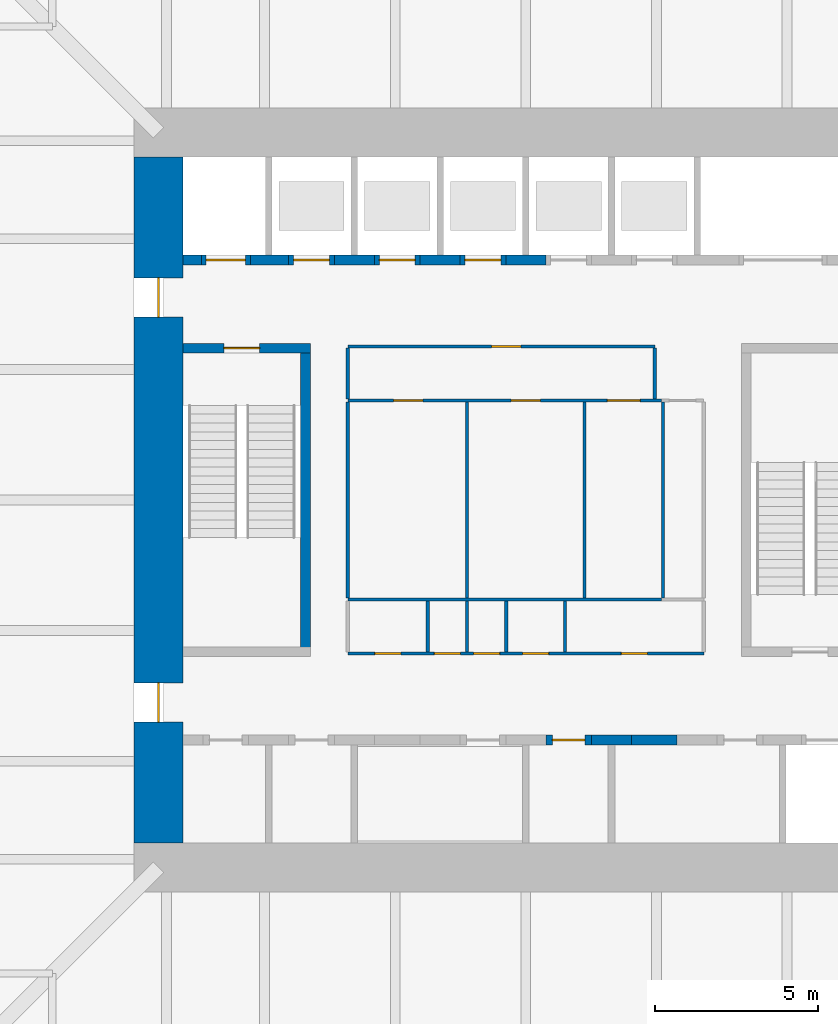
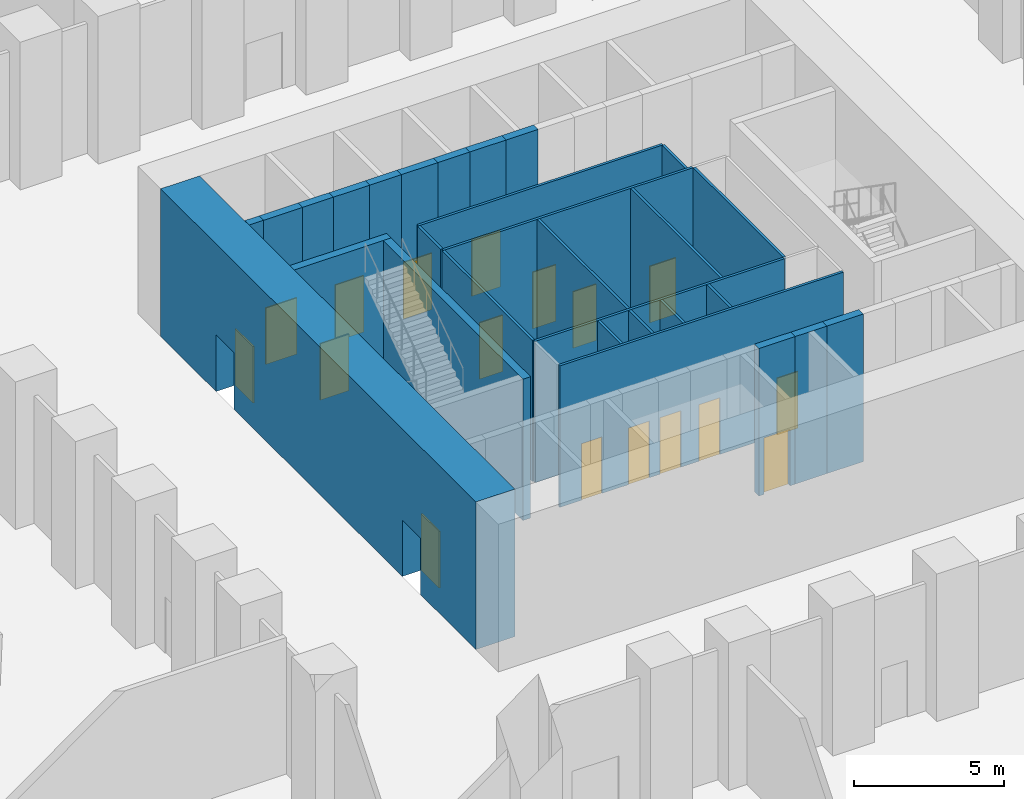
# One storey, part 14 of 20: 29 walls, 17 doors, 17 openings.
"""IFC4 building model written with IfcOpenShell, lengths in metres."""

from ifc_helpers import new_model, si_unit, direction, frame, frame_2d, origin, place, context, subcontext, project, spatial, rectangle, extrude, material, layer, layer_set, type_object, element, fill, save


model = new_model("IFC4")

# Units and contexts
model_context = context("Model", 3, precision=1e-05, world=origin(), true_north=direction((0.0, 1.0)))
body_context = subcontext(model_context, "Body", "Model", "MODEL_VIEW")
ifc_project = project(units=[si_unit("LENGTHUNIT", "METRE"), si_unit("AREAUNIT", "SQUARE_METRE"), si_unit("VOLUMEUNIT", "CUBIC_METRE"), si_unit("PLANEANGLEUNIT", "RADIAN"), si_unit("MASSUNIT", "GRAM", prefix="KILO")], contexts=[model_context])

# Site, building, storey
site_placement = place(None, origin())
site = spatial("IfcSite", under=ifc_project, at=site_placement, CompositionType="ELEMENT")
building_placement = place(site_placement, origin())
building = spatial("IfcBuilding", under=site, at=building_placement, Name="Peilmerk Tower", CompositionType="ELEMENT")
storey_placement = place(building_placement, origin())
storey = spatial("IfcBuildingStorey", under=building, at=storey_placement, Name="L00", CompositionType="ELEMENT", Elevation=0.0)

# Wall
ifc_material_1 = material(Name="Concrete C35/45", Category="concrete")
ifc_layer_1 = layer(ifc_material_1, 0.300048828125)
ifc_layer_set_1 = layer_set([ifc_layer_1], Name="Concrete C35/45")
wall_type_1 = type_object("IfcWallType", Name="IW3 300 concrete stair enclosure wall, EI 120", PredefinedType="SOLIDWALL", material=ifc_layer_set_1)
wall_1_placement = place(storey_placement, frame((-6.75, -4.800048828125, 0.0), z_axis=(0.0, 0.0, 1.0), x_axis=(0.0, 1.0, 0.0)))
element("IfcWall", 1, at=wall_1_placement, inside=storey, type_object=wall_type_1, Name="Stair 1 enclosure L00", PredefinedType="SOLIDWALL", context=body_context, shape_type="SweptSolid", body=[
    extrude(rectangle(XDim=9.60009765625, YDim=0.300048828125, at=frame_2d((4.800048828125, 0.0))), origin(), (0.0, 0.0, 1.0), 5.75),
])

# Wall, opening, door
wall_2_placement = place(storey_placement, frame((-10.5, 4.64990234375, 0.0), z_axis=(0.0, 0.0, 1.0), x_axis=(1.0, 0.0, 0.0)))
wall_2 = element("IfcWall", 2, at=wall_2_placement, inside=storey, type_object=wall_type_1, Name="Stair 1 enclosure L00", PredefinedType="SOLIDWALL", context=body_context, shape_type="SweptSolid", body=[
    extrude(rectangle(XDim=3.89990234375, YDim=0.300048828125, at=frame_2d((1.949951171875, 0.0))), origin(), (0.0, 0.0, 1.0), 5.75),
])
opening_1_placement = place(wall_2_placement, frame((1.25, 0.0, 0.0)))
opening_1 = element("IfcOpeningElement", 3, at=opening_1_placement, cuts=wall_2, Name="Opening D4", PredefinedType="OPENING", context=body_context, shape_type="SweptSolid", body=[
    extrude(rectangle(XDim=1.10009765625, YDim=2.300048828125, at=frame_2d((0.550048828125, 1.14990234375))), frame((0.0, 0.159912109375, 0.0), z_axis=(0.0, -1.0, 0.0), x_axis=(1.0, 0.0, 0.0)), (0.0, 0.0, 1.0), 0.320068359375),
])
ifc_material_2 = material(Name="Steel door in steel frame", Category="steel")
door_type_1 = type_object("IfcDoorType", Name="D4 1100x2300 stair door, EI2 60", OperationType="SINGLE_SWING_RIGHT", PredefinedType="DOOR", material=ifc_material_2)
door_1_placement = place(opening_1_placement, origin())
door_1 = element("IfcDoor", 4, at=door_1_placement, inside=storey, type_object=door_type_1, Name="Stair 1 door L00", OperationType="SINGLE_SWING_RIGHT", OverallHeight=2.300048828125, OverallWidth=1.10009765625, PredefinedType="DOOR", context=body_context, shape_type="SweptSolid", body=[
    extrude(rectangle(XDim=1.10009765625, YDim=2.300048828125, at=frame_2d((0.550048828125, 1.14990234375))), frame((0.0, 0.02490234375, 0.0), z_axis=(0.0, -1.0, 0.0), x_axis=(1.0, 0.0, 0.0)), (0.0, 0.0, 1.0), 0.050048828125),
])
fill(opening_1, door_1)

# Wall, openings, doors
ifc_material_3 = material(Name="Plasterboard on steel studs", Category="steel")
ifc_layer_2 = layer(ifc_material_3, 0.10009765625)
ifc_layer_set_2 = layer_set([ifc_layer_2], Name="Plasterboard on steel studs")
wall_type_2 = type_object("IfcWallType", Name="IW4 100 WC partition", PredefinedType="PARTITIONING", material=ifc_layer_set_2)
wall_3_placement = place(storey_placement, frame((-5.449951171875, 3.050048828125, 0.0), z_axis=(0.0, 0.0, 1.0), x_axis=(1.0, 0.0, 0.0)))
wall_3 = element("IfcWall", 5, at=wall_3_placement, inside=storey, type_object=wall_type_2, Name="WC wall L00", PredefinedType="PARTITIONING", context=body_context, shape_type="SweptSolid", body=[
    extrude(rectangle(XDim=9.599853515625, YDim=0.10009765625, at=frame_2d((4.7998046875, 0.0))), origin(), (0.0, 0.0, 1.0), 5.75),
])
opening_2_placement = place(wall_3_placement, frame((1.39990234375, 0.0, 0.0)))
opening_2 = element("IfcOpeningElement", 6, at=opening_2_placement, cuts=wall_3, Name="Opening D5", PredefinedType="OPENING", context=body_context, shape_type="SweptSolid", body=[
    extrude(rectangle(XDim=0.89990234375, YDim=2.300048828125, at=frame_2d((0.449951171875, 1.14990234375))), frame((0.0, 0.06005859375, 0.0), z_axis=(0.0, -1.0, 0.0), x_axis=(1.0, 0.0, 0.0)), (0.0, 0.0, 1.0), 0.1201171875),
])
opening_3_placement = place(wall_3_placement, frame((5.0, 0.0, 0.0)))
opening_3 = element("IfcOpeningElement", 7, at=opening_3_placement, cuts=wall_3, Name="Opening D5", PredefinedType="OPENING", context=body_context, shape_type="SweptSolid", body=[
    extrude(rectangle(XDim=0.89990234375, YDim=2.300048828125, at=frame_2d((0.449951171875, 1.14990234375))), frame((0.0, 0.06005859375, 0.0), z_axis=(0.0, -1.0, 0.0), x_axis=(1.0, 0.0, 0.0)), (0.0, 0.0, 1.0), 0.1201171875),
])
opening_4_placement = place(wall_3_placement, frame((7.949951171875, 0.0, 0.0)))
opening_4 = element("IfcOpeningElement", 8, at=opening_4_placement, cuts=wall_3, Name="Opening D6", PredefinedType="OPENING", context=body_context, shape_type="SweptSolid", body=[
    extrude(rectangle(XDim=1.0, YDim=2.300048828125, at=frame_2d((0.5, 1.14990234375))), frame((0.0, 0.06005859375, 0.0), z_axis=(0.0, -1.0, 0.0), x_axis=(1.0, 0.0, 0.0)), (0.0, 0.0, 1.0), 0.1201171875),
])
ifc_material_4 = material(Name="Timber door in steel frame", Category="steel")
door_type_2 = type_object("IfcDoorType", Name="D5 900x2300 WC door", OperationType="SINGLE_SWING_LEFT", PredefinedType="DOOR", material=ifc_material_4)
door_2_placement = place(opening_2_placement, frame((0.89990234375, 0.0, 0.0), z_axis=(0.0, 0.0, 1.0), x_axis=(-1.0, 0.0, 0.0)))
door_2 = element("IfcDoor", 9, at=door_2_placement, inside=storey, type_object=door_type_2, Name="Male toilets door L00", OperationType="SINGLE_SWING_LEFT", OverallHeight=2.300048828125, OverallWidth=0.89990234375, PredefinedType="DOOR", context=body_context, shape_type="SweptSolid", body=[
    extrude(rectangle(XDim=0.89990234375, YDim=2.300048828125, at=frame_2d((0.449951171875, 1.14990234375))), frame((0.0, 0.02490234375, 0.0), z_axis=(0.0, -1.0, 0.0), x_axis=(1.0, 0.0, 0.0)), (0.0, 0.0, 1.0), 0.050048828125),
])
fill(opening_2, door_2)
door_3_placement = place(opening_3_placement, frame((0.89990234375, 0.0, 0.0), z_axis=(0.0, 0.0, 1.0), x_axis=(-1.0, 0.0, 0.0)))
door_3 = element("IfcDoor", 10, at=door_3_placement, inside=storey, type_object=door_type_2, Name="Female toilets door L00", OperationType="SINGLE_SWING_LEFT", OverallHeight=2.300048828125, OverallWidth=0.89990234375, PredefinedType="DOOR", context=body_context, shape_type="SweptSolid", body=[
    extrude(rectangle(XDim=0.89990234375, YDim=2.300048828125, at=frame_2d((0.449951171875, 1.14990234375))), frame((0.0, 0.02490234375, 0.0), z_axis=(0.0, -1.0, 0.0), x_axis=(1.0, 0.0, 0.0)), (0.0, 0.0, 1.0), 0.050048828125),
])
fill(opening_3, door_3)
door_type_3 = type_object("IfcDoorType", Name="D6 1000x2300 accessible WC door", OperationType="SLIDING_TO_LEFT", PredefinedType="DOOR", material=ifc_material_4)
door_4_placement = place(opening_4_placement, frame((1.0, 0.0, 0.0), z_axis=(0.0, 0.0, 1.0), x_axis=(-1.0, 0.0, 0.0)))
door_4 = element("IfcDoor", 11, at=door_4_placement, inside=storey, type_object=door_type_3, Name="Accessible WC door L00", OperationType="SLIDING_TO_LEFT", OverallHeight=2.300048828125, OverallWidth=1.0, PredefinedType="DOOR", context=body_context, shape_type="SweptSolid", body=[
    extrude(rectangle(XDim=1.0, YDim=2.300048828125, at=frame_2d((0.5, 1.14990234375))), frame((0.0, 0.02490234375, 0.0), z_axis=(0.0, -1.0, 0.0), x_axis=(1.0, 0.0, 0.0)), (0.0, 0.0, 1.0), 0.050048828125),
])
fill(opening_4, door_4)

# Walls
wall_4_placement = place(storey_placement, frame((4.14990234375, -3.050048828125, 0.0), z_axis=(0.0, 0.0, 1.0), x_axis=(-1.0, 0.0, 0.0)))
element("IfcWall", 12, at=wall_4_placement, inside=storey, type_object=wall_type_2, Name="WC wall L00", PredefinedType="PARTITIONING", context=body_context, shape_type="SweptSolid", body=[
    extrude(rectangle(XDim=9.599853515625, YDim=0.10009765625, at=frame_2d((4.7998046875, 0.0))), origin(), (0.0, 0.0, 1.0), 5.75),
])
for number, where, z_axis, x_axis, name in (
    (13, (-5.449951171875, -3.0, 0.0), (0.0, 0.0, 1.0), (0.0, 1.0, 0.0), "WC wall L00"),
    (14, (-1.800048828125, -3.0, 0.0), (0.0, 0.0, 1.0), (0.0, 1.0, 0.0), "WC wall L00"),
    (15, (1.800048828125, -3.0, 0.0), (0.0, 0.0, 1.0), (0.0, 1.0, 0.0), "WC wall L00"),
):
    element("IfcWall", number, at=place(storey_placement, frame(where, z_axis=z_axis, x_axis=x_axis)), inside=storey, type_object=wall_type_2, Name=name, PredefinedType="PARTITIONING", context=body_context, shape_type="SweptSolid", body=[
        extrude(rectangle(XDim=6.0, YDim=0.10009765625, at=frame_2d((3.0, 0.0))), origin(), (0.0, 0.0, 1.0), 5.75),
    ])
ifc_material_5 = material(Name="Calcium silicate board on steel studs", Category="steel")
ifc_layer_3 = layer(ifc_material_5, 0.10009765625)
ifc_layer_set_3 = layer_set([ifc_layer_3], Name="Calcium silicate board on steel studs")
wall_type_3 = type_object("IfcWallType", Name="IW5 100 riser enclosure wall, EI 60", PredefinedType="PARTITIONING", material=ifc_layer_set_3)
wall_5_placement = place(storey_placement, frame((4.199951171875, -3.0, 0.0), z_axis=(0.0, 0.0, 1.0), x_axis=(0.0, 1.0, 0.0)))
element("IfcWall", 16, at=wall_5_placement, inside=storey, type_object=wall_type_3, Name="Riser wall L00", PredefinedType="PARTITIONING", context=body_context, shape_type="SweptSolid", body=[
    extrude(rectangle(XDim=6.0, YDim=0.10009765625, at=frame_2d((3.0, 0.0))), origin(), (0.0, 0.0, 1.0), 5.75),
])

# Wall, openings, doors
wall_6_placement = place(storey_placement, frame((5.449951171875, -4.699951171875, 0.0), z_axis=(0.0, 0.0, 1.0), x_axis=(-1.0, 0.0, 0.0)))
wall_6 = element("IfcWall", 17, at=wall_6_placement, inside=storey, type_object=wall_type_3, Name="Riser wall L00", PredefinedType="PARTITIONING", context=body_context, shape_type="SweptSolid", body=[
    extrude(rectangle(XDim=10.89990234375, YDim=0.10009765625, at=frame_2d((5.449951171875, 0.0))), origin(), (0.0, 0.0, 1.0), 5.75),
])
opening_5_placement = place(wall_6_placement, frame((9.27490234375, 0.0, 0.0)))
opening_5 = element("IfcOpeningElement", 18, at=opening_5_placement, cuts=wall_6, Name="Opening D7", PredefinedType="OPENING", context=body_context, shape_type="SweptSolid", body=[
    extrude(rectangle(XDim=0.800048828125, YDim=2.300048828125, at=frame_2d((0.39990234375, 1.14990234375))), frame((0.0, 0.06005859375, 0.0), z_axis=(0.0, -1.0, 0.0), x_axis=(1.0, 0.0, 0.0)), (0.0, 0.0, 1.0), 0.1201171875),
])
opening_6_placement = place(wall_6_placement, frame((7.449951171875, 0.0, 0.0)))
opening_6 = element("IfcOpeningElement", 19, at=opening_6_placement, cuts=wall_6, Name="Opening D7", PredefinedType="OPENING", context=body_context, shape_type="SweptSolid", body=[
    extrude(rectangle(XDim=0.800048828125, YDim=2.300048828125, at=frame_2d((0.39990234375, 1.14990234375))), frame((0.0, 0.06005859375, 0.0), z_axis=(0.0, -1.0, 0.0), x_axis=(1.0, 0.0, 0.0)), (0.0, 0.0, 1.0), 0.1201171875),
])
opening_7_placement = place(wall_6_placement, frame((6.25, 0.0, 0.0)))
opening_7 = element("IfcOpeningElement", 20, at=opening_7_placement, cuts=wall_6, Name="Opening D7", PredefinedType="OPENING", context=body_context, shape_type="SweptSolid", body=[
    extrude(rectangle(XDim=0.800048828125, YDim=2.300048828125, at=frame_2d((0.39990234375, 1.14990234375))), frame((0.0, 0.06005859375, 0.0), z_axis=(0.0, -1.0, 0.0), x_axis=(1.0, 0.0, 0.0)), (0.0, 0.0, 1.0), 0.1201171875),
])
opening_8_placement = place(wall_6_placement, frame((4.75, 0.0, 0.0)))
opening_8 = element("IfcOpeningElement", 21, at=opening_8_placement, cuts=wall_6, Name="Opening D7", PredefinedType="OPENING", context=body_context, shape_type="SweptSolid", body=[
    extrude(rectangle(XDim=0.800048828125, YDim=2.300048828125, at=frame_2d((0.39990234375, 1.14990234375))), frame((0.0, 0.06005859375, 0.0), z_axis=(0.0, -1.0, 0.0), x_axis=(1.0, 0.0, 0.0)), (0.0, 0.0, 1.0), 0.1201171875),
])
opening_9_placement = place(wall_6_placement, frame((1.72509765625, 0.0, 0.0)))
opening_9 = element("IfcOpeningElement", 22, at=opening_9_placement, cuts=wall_6, Name="Opening D7", PredefinedType="OPENING", context=body_context, shape_type="SweptSolid", body=[
    extrude(rectangle(XDim=0.800048828125, YDim=2.300048828125, at=frame_2d((0.39990234375, 1.14990234375))), frame((0.0, 0.06005859375, 0.0), z_axis=(0.0, -1.0, 0.0), x_axis=(1.0, 0.0, 0.0)), (0.0, 0.0, 1.0), 0.1201171875),
])
door_type_4 = type_object("IfcDoorType", Name="D7 800x2300 riser access door, EI2 60", OperationType="SINGLE_SWING_RIGHT", PredefinedType="DOOR", material=ifc_material_2)
door_5_placement = place(opening_5_placement, frame((0.800048828125, 0.0, 0.0), z_axis=(0.0, 0.0, 1.0), x_axis=(-1.0, 0.0, 0.0)))
door_5 = element("IfcDoor", 23, at=door_5_placement, inside=storey, type_object=door_type_4, Name="Electrical room door L00", OperationType="SINGLE_SWING_RIGHT", OverallHeight=2.300048828125, OverallWidth=0.800048828125, PredefinedType="DOOR", context=body_context, shape_type="SweptSolid", body=[
    extrude(rectangle(XDim=0.800048828125, YDim=2.300048828125, at=frame_2d((0.39990234375, 1.14990234375))), frame((0.0, 0.02490234375, 0.0), z_axis=(0.0, -1.0, 0.0), x_axis=(1.0, 0.0, 0.0)), (0.0, 0.0, 1.0), 0.050048828125),
])
fill(opening_5, door_5)
door_6_placement = place(opening_6_placement, frame((0.800048828125, 0.0, 0.0), z_axis=(0.0, 0.0, 1.0), x_axis=(-1.0, 0.0, 0.0)))
door_6 = element("IfcDoor", 24, at=door_6_placement, inside=storey, type_object=door_type_4, Name="Electrical riser door L00", OperationType="SINGLE_SWING_RIGHT", OverallHeight=2.300048828125, OverallWidth=0.800048828125, PredefinedType="DOOR", context=body_context, shape_type="SweptSolid", body=[
    extrude(rectangle(XDim=0.800048828125, YDim=2.300048828125, at=frame_2d((0.39990234375, 1.14990234375))), frame((0.0, 0.02490234375, 0.0), z_axis=(0.0, -1.0, 0.0), x_axis=(1.0, 0.0, 0.0)), (0.0, 0.0, 1.0), 0.050048828125),
])
fill(opening_6, door_6)
door_7_placement = place(opening_7_placement, frame((0.800048828125, 0.0, 0.0), z_axis=(0.0, 0.0, 1.0), x_axis=(-1.0, 0.0, 0.0)))
door_7 = element("IfcDoor", 25, at=door_7_placement, inside=storey, type_object=door_type_4, Name="Data riser door L00", OperationType="SINGLE_SWING_RIGHT", OverallHeight=2.300048828125, OverallWidth=0.800048828125, PredefinedType="DOOR", context=body_context, shape_type="SweptSolid", body=[
    extrude(rectangle(XDim=0.800048828125, YDim=2.300048828125, at=frame_2d((0.39990234375, 1.14990234375))), frame((0.0, 0.02490234375, 0.0), z_axis=(0.0, -1.0, 0.0), x_axis=(1.0, 0.0, 0.0)), (0.0, 0.0, 1.0), 0.050048828125),
])
fill(opening_7, door_7)
door_8_placement = place(opening_8_placement, frame((0.800048828125, 0.0, 0.0), z_axis=(0.0, 0.0, 1.0), x_axis=(-1.0, 0.0, 0.0)))
door_8 = element("IfcDoor", 26, at=door_8_placement, inside=storey, type_object=door_type_4, Name="Cleaner's cupboard door L00", OperationType="SINGLE_SWING_RIGHT", OverallHeight=2.300048828125, OverallWidth=0.800048828125, PredefinedType="DOOR", context=body_context, shape_type="SweptSolid", body=[
    extrude(rectangle(XDim=0.800048828125, YDim=2.300048828125, at=frame_2d((0.39990234375, 1.14990234375))), frame((0.0, 0.02490234375, 0.0), z_axis=(0.0, -1.0, 0.0), x_axis=(1.0, 0.0, 0.0)), (0.0, 0.0, 1.0), 0.050048828125),
])
fill(opening_8, door_8)
door_9_placement = place(opening_9_placement, frame((0.800048828125, 0.0, 0.0), z_axis=(0.0, 0.0, 1.0), x_axis=(-1.0, 0.0, 0.0)))
door_9 = element("IfcDoor", 27, at=door_9_placement, inside=storey, type_object=door_type_4, Name="Comms room door L00", OperationType="SINGLE_SWING_RIGHT", OverallHeight=2.300048828125, OverallWidth=0.800048828125, PredefinedType="DOOR", context=body_context, shape_type="SweptSolid", body=[
    extrude(rectangle(XDim=0.800048828125, YDim=2.300048828125, at=frame_2d((0.39990234375, 1.14990234375))), frame((0.0, 0.02490234375, 0.0), z_axis=(0.0, -1.0, 0.0), x_axis=(1.0, 0.0, 0.0)), (0.0, 0.0, 1.0), 0.050048828125),
])
fill(opening_9, door_9)

# Walls
for number, where, z_axis, x_axis, name in (
    (28, (-3.0, -3.10009765625, 0.0), (0.0, 0.0, 1.0), (0.0, -1.0, 0.0), "Riser wall L00"),
    (29, (-1.800048828125, -3.10009765625, 0.0), (0.0, 0.0, 1.0), (0.0, -1.0, 0.0), "Riser wall L00"),
    (30, (-0.60009765625, -3.10009765625, 0.0), (0.0, 0.0, 1.0), (0.0, -1.0, 0.0), "Riser wall L00"),
    (31, (1.199951171875, -3.10009765625, 0.0), (0.0, 0.0, 1.0), (0.0, -1.0, 0.0), "Riser wall L00"),
):
    element("IfcWall", number, at=place(storey_placement, frame(where, z_axis=z_axis, x_axis=x_axis)), inside=storey, type_object=wall_type_3, Name=name, PredefinedType="PARTITIONING", context=body_context, shape_type="SweptSolid", body=[
        extrude(rectangle(XDim=1.5498046875, YDim=0.10009765625, at=frame_2d((0.77490234375, 0.0))), origin(), (0.0, 0.0, 1.0), 5.75),
    ])

# Wall, opening, door
ifc_material_6 = material(Name="Fire-resisting plasterboard on steel studs", Category="steel")
ifc_layer_4 = layer(ifc_material_6, 0.10009765625)
ifc_layer_set_4 = layer_set([ifc_layer_4], Name="Fire-resisting plasterboard on steel studs")
wall_type_4 = type_object("IfcWallType", Name="IW9 100 WC lobby wall, EI 30", PredefinedType="PARTITIONING", material=ifc_layer_set_4)
wall_7_placement = place(storey_placement, frame((-5.449951171875, 4.699951171875, 0.0), z_axis=(0.0, 0.0, 1.0), x_axis=(1.0, 0.0, 0.0)))
wall_7 = element("IfcWall", 32, at=wall_7_placement, inside=storey, type_object=wall_type_4, Name="WC lobby wall L00", PredefinedType="PARTITIONING", context=body_context, shape_type="SweptSolid", body=[
    extrude(rectangle(XDim=9.39990234375, YDim=0.10009765625, at=frame_2d((4.699951171875, 0.0))), origin(), (0.0, 0.0, 1.0), 5.75),
])
opening_10_placement = place(wall_7_placement, frame((4.39990234375, 0.0, 0.0)))
opening_10 = element("IfcOpeningElement", 33, at=opening_10_placement, cuts=wall_7, Name="Opening D11", PredefinedType="OPENING", context=body_context, shape_type="SweptSolid", body=[
    extrude(rectangle(XDim=0.89990234375, YDim=2.300048828125, at=frame_2d((0.449951171875, 1.14990234375))), frame((0.0, 0.06005859375, 0.0), z_axis=(0.0, -1.0, 0.0), x_axis=(1.0, 0.0, 0.0)), (0.0, 0.0, 1.0), 0.1201171875),
])
door_type_5 = type_object("IfcDoorType", Name="D11 900x2300 WC lobby door, EI2 30", OperationType="SINGLE_SWING_LEFT", PredefinedType="DOOR", material=ifc_material_4)
door_10_placement = place(opening_10_placement, frame((0.89990234375, 0.0, 0.0), z_axis=(0.0, 0.0, 1.0), x_axis=(-1.0, 0.0, 0.0)))
door_10 = element("IfcDoor", 34, at=door_10_placement, inside=storey, type_object=door_type_5, Name="WC lobby door L00", OperationType="SINGLE_SWING_LEFT", OverallHeight=2.300048828125, OverallWidth=0.89990234375, PredefinedType="DOOR", context=body_context, shape_type="SweptSolid", body=[
    extrude(rectangle(XDim=0.89990234375, YDim=2.300048828125, at=frame_2d((0.449951171875, 1.14990234375))), frame((0.0, 0.02490234375, 0.0), z_axis=(0.0, -1.0, 0.0), x_axis=(1.0, 0.0, 0.0)), (0.0, 0.0, 1.0), 0.050048828125),
])
fill(opening_10, door_10)

# Walls
for number, where, z_axis, x_axis, name in (
    (35, (-5.449951171875, 3.10009765625, 0.0), (0.0, 0.0, 1.0), (0.0, 1.0, 0.0), "WC lobby wall L00"),
    (36, (3.949951171875, 3.10009765625, 0.0), (0.0, 0.0, 1.0), (0.0, 1.0, 0.0), "WC lobby wall L00"),
):
    element("IfcWall", number, at=place(storey_placement, frame(where, z_axis=z_axis, x_axis=x_axis)), inside=storey, type_object=wall_type_4, Name=name, PredefinedType="PARTITIONING", context=body_context, shape_type="SweptSolid", body=[
        extrude(rectangle(XDim=1.5498046875, YDim=0.10009765625, at=frame_2d((0.77490234375, 0.0))), origin(), (0.0, 0.0, 1.0), 5.75),
    ])

# Wall, opening, door
ifc_material_7 = material(Name="Calcium silicate block", Category="masonry")
ifc_layer_5 = layer(ifc_material_7, 0.300048828125)
ifc_layer_set_5 = layer_set([ifc_layer_5], Name="Calcium silicate block")
wall_type_5 = type_object("IfcWallType", Name="SH2 300 lift landing door panel, EI 120", PredefinedType="PARTITIONING", material=ifc_layer_set_5)
wall_8_placement = place(storey_placement, frame((-9.9375, 7.35009765625, 0.0), z_axis=(0.0, 0.0, 1.0), x_axis=(1.0, 0.0, 0.0)))
wall_8 = element("IfcWall", 37, at=wall_8_placement, inside=storey, type_object=wall_type_5, Name="Lift door panel N FL1 L00", PredefinedType="PARTITIONING", context=body_context, shape_type="SweptSolid", body=[
    extrude(rectangle(XDim=1.5, YDim=0.300048828125, at=frame_2d((0.75, 0.0))), origin(), (0.0, 0.0, 1.0), 6.0),
])
opening_11_placement = place(wall_8_placement, frame((0.14990234375, 0.0, 0.0)))
opening_11 = element("IfcOpeningElement", 38, at=opening_11_placement, cuts=wall_8, Name="Opening LD2", PredefinedType="OPENING", context=body_context, shape_type="SweptSolid", body=[
    extrude(rectangle(XDim=1.199951171875, YDim=2.300048828125, at=frame_2d((0.60009765625, 1.14990234375))), frame((0.0, 0.159912109375, 0.0), z_axis=(0.0, -1.0, 0.0), x_axis=(1.0, 0.0, 0.0)), (0.0, 0.0, 1.0), 0.320068359375),
])
ifc_material_8 = material(Name="Stainless steel landing door", Category="steel")
door_type_6 = type_object("IfcDoorType", Name="LD2 1200x2300 lift landing door, sliding, EI2 60", OperationType="SLIDING_TO_LEFT", PredefinedType="DOOR", material=ifc_material_8)
door_11_placement = place(opening_11_placement, frame((1.199951171875, 0.0, 0.0), z_axis=(0.0, 0.0, 1.0), x_axis=(-1.0, 0.0, 0.0)))
door_11 = element("IfcDoor", 39, at=door_11_placement, inside=storey, type_object=door_type_6, Name="Lift landing door FL1 L00", OperationType="SLIDING_TO_LEFT", OverallHeight=2.300048828125, OverallWidth=1.199951171875, PredefinedType="DOOR", context=body_context, shape_type="SweptSolid", body=[
    extrude(rectangle(XDim=1.199951171875, YDim=2.300048828125, at=frame_2d((0.60009765625, 1.14990234375))), frame((0.0, 0.02490234375, 0.0), z_axis=(0.0, -1.0, 0.0), x_axis=(1.0, 0.0, 0.0)), (0.0, 0.0, 1.0), 0.050048828125),
])
fill(opening_11, door_11)

wall_9_placement = place(storey_placement, frame((-7.262451171875, 7.35009765625, 0.0), z_axis=(0.0, 0.0, 1.0), x_axis=(1.0, 0.0, 0.0)))
wall_9 = element("IfcWall", 40, at=wall_9_placement, inside=storey, type_object=wall_type_5, Name="Lift door panel N A1 L00", PredefinedType="PARTITIONING", context=body_context, shape_type="SweptSolid", body=[
    extrude(rectangle(XDim=1.39990234375, YDim=0.300048828125, at=frame_2d((0.699951171875, 0.0))), origin(), (0.0, 0.0, 1.0), 6.0),
])
opening_12_placement = place(wall_9_placement, frame((0.14990234375, 0.0, 0.0)))
opening_12 = element("IfcOpeningElement", 41, at=opening_12_placement, cuts=wall_9, Name="Opening LD1", PredefinedType="OPENING", context=body_context, shape_type="SweptSolid", body=[
    extrude(rectangle(XDim=1.10009765625, YDim=2.300048828125, at=frame_2d((0.550048828125, 1.14990234375))), frame((0.0, 0.159912109375, 0.0), z_axis=(0.0, -1.0, 0.0), x_axis=(1.0, 0.0, 0.0)), (0.0, 0.0, 1.0), 0.320068359375),
])
door_type_7 = type_object("IfcDoorType", Name="LD1 1100x2300 lift landing door, sliding, EI2 60", OperationType="SLIDING_TO_LEFT", PredefinedType="DOOR", material=ifc_material_8)
door_12_placement = place(opening_12_placement, frame((1.10009765625, 0.0, 0.0), z_axis=(0.0, 0.0, 1.0), x_axis=(-1.0, 0.0, 0.0)))
door_12 = element("IfcDoor", 42, at=door_12_placement, inside=storey, type_object=door_type_7, Name="Lift landing door A1 L00", OperationType="SLIDING_TO_LEFT", OverallHeight=2.300048828125, OverallWidth=1.10009765625, PredefinedType="DOOR", context=body_context, shape_type="SweptSolid", body=[
    extrude(rectangle(XDim=1.10009765625, YDim=2.300048828125, at=frame_2d((0.550048828125, 1.14990234375))), frame((0.0, 0.02490234375, 0.0), z_axis=(0.0, -1.0, 0.0), x_axis=(1.0, 0.0, 0.0)), (0.0, 0.0, 1.0), 0.050048828125),
])
fill(opening_12, door_12)

wall_10_placement = place(storey_placement, frame((-4.637451171875, 7.35009765625, 0.0), z_axis=(0.0, 0.0, 1.0), x_axis=(1.0, 0.0, 0.0)))
wall_10 = element("IfcWall", 43, at=wall_10_placement, inside=storey, type_object=wall_type_5, Name="Lift door panel N A2 L00", PredefinedType="PARTITIONING", context=body_context, shape_type="SweptSolid", body=[
    extrude(rectangle(XDim=1.39990234375, YDim=0.300048828125, at=frame_2d((0.699951171875, 0.0))), origin(), (0.0, 0.0, 1.0), 6.0),
])
opening_13_placement = place(wall_10_placement, frame((0.14990234375, 0.0, 0.0)))
opening_13 = element("IfcOpeningElement", 44, at=opening_13_placement, cuts=wall_10, Name="Opening LD1", PredefinedType="OPENING", context=body_context, shape_type="SweptSolid", body=[
    extrude(rectangle(XDim=1.10009765625, YDim=2.300048828125, at=frame_2d((0.550048828125, 1.14990234375))), frame((0.0, 0.159912109375, 0.0), z_axis=(0.0, -1.0, 0.0), x_axis=(1.0, 0.0, 0.0)), (0.0, 0.0, 1.0), 0.320068359375),
])
door_13_placement = place(opening_13_placement, frame((1.10009765625, 0.0, 0.0), z_axis=(0.0, 0.0, 1.0), x_axis=(-1.0, 0.0, 0.0)))
door_13 = element("IfcDoor", 45, at=door_13_placement, inside=storey, type_object=door_type_7, Name="Lift landing door A2 L00", OperationType="SLIDING_TO_LEFT", OverallHeight=2.300048828125, OverallWidth=1.10009765625, PredefinedType="DOOR", context=body_context, shape_type="SweptSolid", body=[
    extrude(rectangle(XDim=1.10009765625, YDim=2.300048828125, at=frame_2d((0.550048828125, 1.14990234375))), frame((0.0, 0.02490234375, 0.0), z_axis=(0.0, -1.0, 0.0), x_axis=(1.0, 0.0, 0.0)), (0.0, 0.0, 1.0), 0.050048828125),
])
fill(opening_13, door_13)

wall_11_placement = place(storey_placement, frame((-2.012451171875, 7.35009765625, 0.0), z_axis=(0.0, 0.0, 1.0), x_axis=(1.0, 0.0, 0.0)))
wall_11 = element("IfcWall", 46, at=wall_11_placement, inside=storey, type_object=wall_type_5, Name="Lift door panel N A3 L00", PredefinedType="PARTITIONING", context=body_context, shape_type="SweptSolid", body=[
    extrude(rectangle(XDim=1.39990234375, YDim=0.300048828125, at=frame_2d((0.699951171875, 0.0))), origin(), (0.0, 0.0, 1.0), 6.0),
])
opening_14_placement = place(wall_11_placement, frame((0.14990234375, 0.0, 0.0)))
opening_14 = element("IfcOpeningElement", 47, at=opening_14_placement, cuts=wall_11, Name="Opening LD1", PredefinedType="OPENING", context=body_context, shape_type="SweptSolid", body=[
    extrude(rectangle(XDim=1.10009765625, YDim=2.300048828125, at=frame_2d((0.550048828125, 1.14990234375))), frame((0.0, 0.159912109375, 0.0), z_axis=(0.0, -1.0, 0.0), x_axis=(1.0, 0.0, 0.0)), (0.0, 0.0, 1.0), 0.320068359375),
])
door_14_placement = place(opening_14_placement, frame((1.10009765625, 0.0, 0.0), z_axis=(0.0, 0.0, 1.0), x_axis=(-1.0, 0.0, 0.0)))
door_14 = element("IfcDoor", 48, at=door_14_placement, inside=storey, type_object=door_type_7, Name="Lift landing door A3 L00", OperationType="SLIDING_TO_LEFT", OverallHeight=2.300048828125, OverallWidth=1.10009765625, PredefinedType="DOOR", context=body_context, shape_type="SweptSolid", body=[
    extrude(rectangle(XDim=1.10009765625, YDim=2.300048828125, at=frame_2d((0.550048828125, 1.14990234375))), frame((0.0, 0.02490234375, 0.0), z_axis=(0.0, -1.0, 0.0), x_axis=(1.0, 0.0, 0.0)), (0.0, 0.0, 1.0), 0.050048828125),
])
fill(opening_14, door_14)

wall_12_placement = place(storey_placement, frame((0.612548828125, -7.35009765625, 0.0), z_axis=(0.0, 0.0, 1.0), x_axis=(1.0, 0.0, 0.0)))
wall_12 = element("IfcWall", 49, at=wall_12_placement, inside=storey, type_object=wall_type_5, Name="Lift door panel S B3 L00", PredefinedType="PARTITIONING", context=body_context, shape_type="SweptSolid", body=[
    extrude(rectangle(XDim=1.39990234375, YDim=0.300048828125, at=frame_2d((0.699951171875, 0.0))), origin(), (0.0, 0.0, 1.0), 6.0),
])
opening_15_placement = place(wall_12_placement, frame((0.199951171875, 0.0, 0.0)))
opening_15 = element("IfcOpeningElement", 50, at=opening_15_placement, cuts=wall_12, Name="Opening D10", PredefinedType="OPENING", context=body_context, shape_type="SweptSolid", body=[
    extrude(rectangle(XDim=1.0, YDim=2.300048828125, at=frame_2d((0.5, 1.14990234375))), frame((0.0, 0.159912109375, 0.0), z_axis=(0.0, -1.0, 0.0), x_axis=(1.0, 0.0, 0.0)), (0.0, 0.0, 1.0), 0.320068359375),
])
door_type_8 = type_object("IfcDoorType", Name="D10 1000x2300 core room door, EI2 60", OperationType="SINGLE_SWING_RIGHT", PredefinedType="DOOR", material=ifc_material_2)
door_15_placement = place(opening_15_placement, frame((1.0, 0.0, 0.0), z_axis=(0.0, 0.0, 1.0), x_axis=(-1.0, 0.0, 0.0)))
door_15 = element("IfcDoor", 51, at=door_15_placement, inside=storey, type_object=door_type_8, Name="Door IT room L00", OperationType="SINGLE_SWING_RIGHT", OverallHeight=2.300048828125, OverallWidth=1.0, PredefinedType="DOOR", context=body_context, shape_type="SweptSolid", body=[
    extrude(rectangle(XDim=1.0, YDim=2.300048828125, at=frame_2d((0.5, 1.14990234375))), frame((0.0, 0.02490234375, 0.0), z_axis=(0.0, -1.0, 0.0), x_axis=(1.0, 0.0, 0.0)), (0.0, 0.0, 1.0), 0.050048828125),
])
fill(opening_15, door_15)

# Wall
wall_13_placement = place(storey_placement, frame((3.237548828125, -7.35009765625, 0.0), z_axis=(0.0, 0.0, 1.0), x_axis=(1.0, 0.0, 0.0)))
element("IfcWall", 52, at=wall_13_placement, inside=storey, type_object=wall_type_5, Name="Lift door panel S B2 L00", PredefinedType="PARTITIONING", context=body_context, shape_type="SweptSolid", body=[
    extrude(rectangle(XDim=1.39990234375, YDim=0.300048828125, at=frame_2d((0.699951171875, 0.0))), origin(), (0.0, 0.0, 1.0), 6.0),
])

# Wall, openings, doors
ifc_material_9 = material(Name="Concrete C55/67", Category="concrete")
ifc_layer_6 = layer(ifc_material_9, 1.5)
ifc_layer_set_6 = layer_set([ifc_layer_6], Name="Concrete C55/67")
wall_type_6 = type_object("IfcWallType", Name="SW1 1500 core wall", PredefinedType="SHEAR", material=ifc_layer_set_6)
wall_14_placement = place(storey_placement, frame((-11.25, -10.5, 0.0), z_axis=(0.0, 0.0, 1.0), x_axis=(0.0, 1.0, 0.0)))
wall_14 = element("IfcWall", 53, at=wall_14_placement, inside=storey, type_object=wall_type_6, Name="Core wall W L00", PredefinedType="SHEAR", context=body_context, shape_type="SweptSolid", body=[
    extrude(rectangle(XDim=21.0, YDim=1.5, at=frame_2d((10.5, 0.0))), origin(), (0.0, 0.0, 1.0), 6.0),
])
opening_16_placement = place(wall_14_placement, frame((16.10009765625, 0.0, 0.0)))
opening_16 = element("IfcOpeningElement", 54, at=opening_16_placement, cuts=wall_14, Name="Opening D3", PredefinedType="OPENING", context=body_context, shape_type="SweptSolid", body=[
    extrude(rectangle(XDim=1.199951171875, YDim=2.300048828125, at=frame_2d((0.60009765625, 1.14990234375))), frame((0.0, 0.760009765625, 0.0), z_axis=(0.0, -1.0, 0.0), x_axis=(1.0, 0.0, 0.0)), (0.0, 0.0, 1.0), 1.52001953125),
])
opening_17_placement = place(wall_14_placement, frame((3.699951171875, 0.0, 0.0)))
opening_17 = element("IfcOpeningElement", 55, at=opening_17_placement, cuts=wall_14, Name="Opening D3", PredefinedType="OPENING", context=body_context, shape_type="SweptSolid", body=[
    extrude(rectangle(XDim=1.199951171875, YDim=2.300048828125, at=frame_2d((0.60009765625, 1.14990234375))), frame((0.0, 0.760009765625, 0.0), z_axis=(0.0, -1.0, 0.0), x_axis=(1.0, 0.0, 0.0)), (0.0, 0.0, 1.0), 1.52001953125),
])
door_type_9 = type_object("IfcDoorType", Name="D3 1200x2300 core door, EI2 60", OperationType="SINGLE_SWING_LEFT", PredefinedType="DOOR", material=ifc_material_2)
door_16_placement = place(opening_16_placement, frame((1.199951171875, 0.0, 0.0), z_axis=(0.0, 0.0, 1.0), x_axis=(-1.0, 0.0, 0.0)))
door_16 = element("IfcDoor", 56, at=door_16_placement, inside=storey, type_object=door_type_9, Name="Core door L00", OperationType="SINGLE_SWING_LEFT", OverallHeight=2.300048828125, OverallWidth=1.199951171875, PredefinedType="DOOR", context=body_context, shape_type="SweptSolid", body=[
    extrude(rectangle(XDim=1.199951171875, YDim=2.300048828125, at=frame_2d((0.60009765625, 1.14990234375))), frame((0.0, 0.02490234375, 0.0), z_axis=(0.0, -1.0, 0.0), x_axis=(1.0, 0.0, 0.0)), (0.0, 0.0, 1.0), 0.050048828125),
])
fill(opening_16, door_16)
door_17_placement = place(opening_17_placement, frame((1.199951171875, 0.0, 0.0), z_axis=(0.0, 0.0, 1.0), x_axis=(-1.0, 0.0, 0.0)))
door_17 = element("IfcDoor", 57, at=door_17_placement, inside=storey, type_object=door_type_9, Name="Core door L00", OperationType="SINGLE_SWING_LEFT", OverallHeight=2.300048828125, OverallWidth=1.199951171875, PredefinedType="DOOR", context=body_context, shape_type="SweptSolid", body=[
    extrude(rectangle(XDim=1.199951171875, YDim=2.300048828125, at=frame_2d((0.60009765625, 1.14990234375))), frame((0.0, 0.02490234375, 0.0), z_axis=(0.0, -1.0, 0.0), x_axis=(1.0, 0.0, 0.0)), (0.0, 0.0, 1.0), 0.050048828125),
])
fill(opening_17, door_17)

# Walls
ifc_layer_7 = layer(ifc_material_9, 0.300048828125)
ifc_layer_set_7 = layer_set([ifc_layer_7], Name="Concrete C55/67")
wall_type_7 = type_object("IfcWallType", Name="SW2 300 lift bank pier", PredefinedType="SHEAR", material=ifc_layer_set_7)
wall_15_placement = place(storey_placement, frame((-10.5, 7.35009765625, 0.0), z_axis=(0.0, 0.0, 1.0), x_axis=(1.0, 0.0, 0.0)))
element("IfcWall", 58, at=wall_15_placement, inside=storey, type_object=wall_type_7, Name="Lift bank pier N L00", PredefinedType="SHEAR", context=body_context, shape_type="SweptSolid", body=[
    extrude(rectangle(XDim=0.5625, YDim=0.300048828125, at=frame_2d((0.28125, 0.0))), origin(), (0.0, 0.0, 1.0), 6.0),
])
wall_16_placement = place(storey_placement, frame((-8.4375, 7.35009765625, 0.0), z_axis=(0.0, 0.0, 1.0), x_axis=(1.0, 0.0, 0.0)))
element("IfcWall", 59, at=wall_16_placement, inside=storey, type_object=wall_type_7, Name="Lift bank pier N L00", PredefinedType="SHEAR", context=body_context, shape_type="SweptSolid", body=[
    extrude(rectangle(XDim=1.175048828125, YDim=0.300048828125, at=frame_2d((0.58740234375, 0.0))), origin(), (0.0, 0.0, 1.0), 6.0),
])
for number, where, z_axis, x_axis, name in (
    (60, (-5.862548828125, 7.35009765625, 0.0), (0.0, 0.0, 1.0), (1.0, 0.0, 0.0), "Lift bank pier N L00"),
    (61, (-3.237548828125, 7.35009765625, 0.0), (0.0, 0.0, 1.0), (1.0, 0.0, 0.0), "Lift bank pier N L00"),
    (62, (-0.612548828125, 7.35009765625, 0.0), (0.0, 0.0, 1.0), (1.0, 0.0, 0.0), "Lift bank pier N L00"),
    (63, (2.012451171875, -7.35009765625, 0.0), (0.0, 0.0, 1.0), (1.0, 0.0, 0.0), "Lift bank pier S L00"),
):
    element("IfcWall", number, at=place(storey_placement, frame(where, z_axis=z_axis, x_axis=x_axis)), inside=storey, type_object=wall_type_7, Name=name, PredefinedType="SHEAR", context=body_context, shape_type="SweptSolid", body=[
        extrude(rectangle(XDim=1.22509765625, YDim=0.300048828125, at=frame_2d((0.612548828125, 0.0))), origin(), (0.0, 0.0, 1.0), 6.0),
    ])

save(model, "model.ifc")
